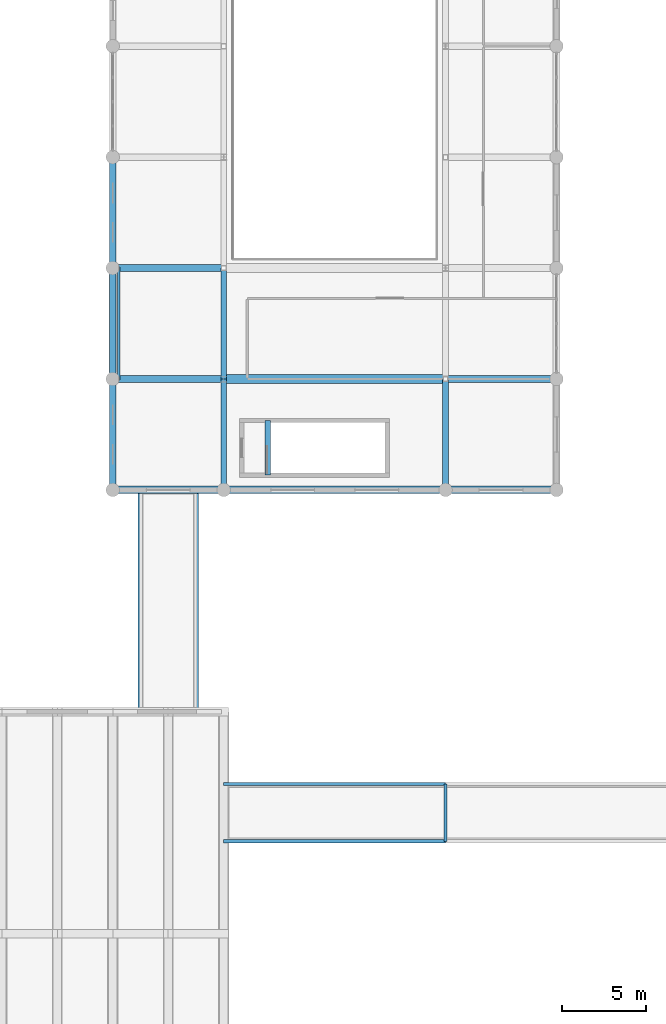
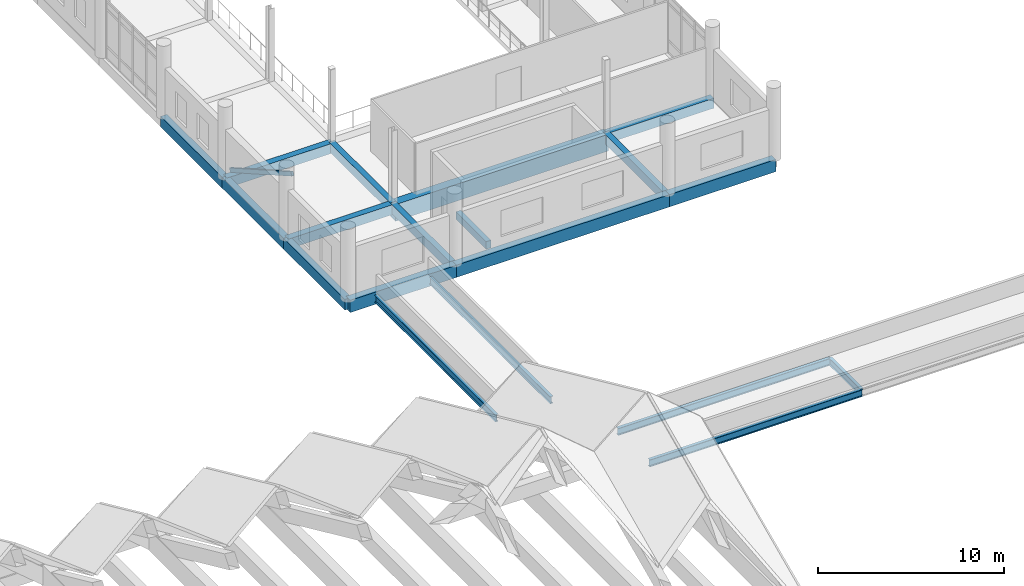
# One storey, part 7 of 76: 19 beams, 1 member.
"""IFC4 building model written with IfcOpenShell, lengths in metres."""

import ifcopenshell
import ifcopenshell.guid

model = None  # the IFC model being written
_history = None  # IfcOwnerHistory: only IFC2X3 demands one
_inside = {}  # id of a spatial element -> (the spatial element, [elements in it])
_under = {}  # id of a project, library or spatial element -> (it, [spatial elements below it])
_declared = {}  # id of a project -> (the project, [libraries it declares])
_typed = {}  # id of a type object -> (the type object, [elements of that type])
_made_of = {}  # id of a material, layer set ... -> (it, [elements and type objects made of it])


def new_model(schema):
    """Start an empty IFC model of exactly this schema.

    Asked for "IFC4X3", IfcOpenShell would pick the latest addendum, in which some entities
    have other attributes; the version numbers below select the first issue.
    IFC2X3 requires an IfcOwnerHistory on every rooted entity: one is made here for all.
    """
    global model, _history
    if schema == "IFC4X3":
        model = ifcopenshell.file(schema_version=(4, 3, 0, 0))
    else:
        model = ifcopenshell.file(schema=schema)
    _inside.clear()
    _under.clear()
    _declared.clear()
    _typed.clear()
    _made_of.clear()
    _history = None
    if model.schema == "IFC2X3":
        org = make("IfcOrganization", Name="unknown")
        user = make(
            "IfcPersonAndOrganization",
            ThePerson=make("IfcPerson", FamilyName="unknown"),
            TheOrganization=org,
        )
        app = make(
            "IfcApplication",
            ApplicationDeveloper=org,
            Version="unknown",
            ApplicationFullName="unknown",
            ApplicationIdentifier="unknown",
        )
        _history = make(
            "IfcOwnerHistory",
            OwningUser=user,
            OwningApplication=app,
            ChangeAction="ADDED",
            CreationDate=0,
        )
    return model


def make(cls, **values):
    """One entity of the class cls with the attributes given. An attribute that is None is left unset."""
    return model.create_entity(
        cls, **{name: value for name, value in values.items() if value is not None}
    )


def rooted(cls, **values):
    """An entity with a GlobalId (a new one), such as an element, a storey or a relation."""
    return make(cls, GlobalId=ifcopenshell.guid.new(), OwnerHistory=_history, **values)


def si_unit(unit_type, name, prefix=None):
    """IfcSIUnit, for example si_unit("LENGTHUNIT", "METRE", prefix="MILLI")."""
    return make("IfcSIUnit", UnitType=unit_type, Prefix=prefix, Name=name)


def assignment(units):
    """IfcUnitAssignment: the units of a project."""
    return None if units is None else make("IfcUnitAssignment", Units=units)


def point(xyz):
    """IfcCartesianPoint."""
    return None if xyz is None else make("IfcCartesianPoint", Coordinates=xyz)


def direction(xyz):
    """IfcDirection."""
    return None if xyz is None else make("IfcDirection", DirectionRatios=xyz)


def frame(location, z_axis=None, x_axis=None):
    """IfcAxis2Placement3D, a coordinate frame: its origin and axes. An axis left out is left unset."""
    return make(
        "IfcAxis2Placement3D",
        Location=point(location),
        Axis=direction(z_axis),
        RefDirection=direction(x_axis),
    )


def frame_2d(location, x_axis=None):
    """IfcAxis2Placement2D, a coordinate frame in the plane: its origin and x axis."""
    return make(
        "IfcAxis2Placement2D", Location=point(location), RefDirection=direction(x_axis)
    )


def origin():
    """The frame at (0, 0, 0) with its axes left unset."""
    return frame((0.0, 0.0, 0.0))


def origin_2d():
    """The frame at (0, 0) in the plane with its x axis left unset."""
    return frame_2d((0.0, 0.0))


def place(relative_to, where):
    """IfcLocalPlacement: puts the frame where relative to a parent placement (None: the world)."""
    return make(
        "IfcLocalPlacement", PlacementRelTo=relative_to, RelativePlacement=where
    )


def context(
    kind, dimensions, precision=None, world=None, true_north=None, identifier=None
):
    """IfcGeometricRepresentationContext, for example the 3D "Model" context."""
    return make(
        "IfcGeometricRepresentationContext",
        ContextIdentifier=identifier,
        ContextType=kind,
        CoordinateSpaceDimension=dimensions,
        Precision=precision,
        WorldCoordinateSystem=world,
        TrueNorth=true_north,
    )


def subcontext(parent, identifier, kind, view, scale=None):
    """IfcGeometricRepresentationSubContext, for example "Body" below "Model"."""
    return make(
        "IfcGeometricRepresentationSubContext",
        ContextIdentifier=identifier,
        ContextType=kind,
        ParentContext=parent,
        TargetScale=scale,
        TargetView=view,
    )


def project(units=None, contexts=None):
    """IfcProject with its units and contexts."""
    return rooted(
        "IfcProject",
        Name="project",
        RepresentationContexts=contexts,
        UnitsInContext=assignment(units),
    )


def spatial(cls, under=None, at=None, **own):
    """A site, building, storey or space (cls), placed at a placement, below another one or the project."""
    s = rooted(cls, ObjectPlacement=at, **own)
    if under is not None:
        _under.setdefault(under.id(), (under, []))[1].append(s)
    return s


def profile(cls, at=None, kind="AREA", **sizes):
    """A parametric profile (cls). Its sizes go by their IFC names, for example OverallWidth=200.0."""
    return make(cls, ProfileType=kind, Position=at, **sizes)


def rectangle(**sizes):
    """IfcRectangleProfileDef."""
    return profile("IfcRectangleProfileDef", **sizes)


def hollow_rectangle(**sizes):
    """IfcRectangleHollowProfileDef."""
    return profile("IfcRectangleHollowProfileDef", **sizes)


def i_section(**sizes):
    """IfcIShapeProfileDef."""
    return profile("IfcIShapeProfileDef", **sizes)


def extrude(swept, where, along, depth):
    """IfcExtrudedAreaSolid: the profile swept, set in the frame where, extruded along a direction by depth."""
    return make(
        "IfcExtrudedAreaSolid",
        SweptArea=swept,
        Position=where,
        ExtrudedDirection=direction(along),
        Depth=depth,
    )


def shape(context_of_items, identifier, shape_type, items):
    """IfcShapeRepresentation: the items that make up one representation, for example the "Body"."""
    return make(
        "IfcShapeRepresentation",
        ContextOfItems=context_of_items,
        RepresentationIdentifier=identifier,
        RepresentationType=shape_type,
        Items=items,
    )


def material(Name=None, Category=None):
    """IfcMaterial."""
    return make("IfcMaterial", Name=Name, Category=Category)


def material_profile(
    of_material, cross_section, Name=None, Category=None, Priority=None
):
    """IfcMaterialProfile: a cross section and its material."""
    return make(
        "IfcMaterialProfile",
        Name=Name,
        Material=of_material,
        Profile=cross_section,
        Priority=Priority,
        Category=Category,
    )


def profile_set(profiles, Name=None, composite=None):
    """IfcMaterialProfileSet."""
    return make(
        "IfcMaterialProfileSet",
        Name=Name,
        MaterialProfiles=profiles,
        CompositeProfile=composite,
    )


def made_of(thing, what):
    """Note that an element or type object is made of a material, layer set ...; save() writes the relation."""
    if what is not None:
        _made_of.setdefault(what.id(), (what, []))[1].append(thing)
    return thing


def type_object(cls, material=None, **own):
    """A type object (cls), such as IfcWallType, which elements share."""
    return made_of(rooted(cls, **own), material)


def element(
    cls,
    number,
    at=None,
    inside=None,
    cuts=None,
    type_object=None,
    material=None,
    context=None,
    identifier="Body",
    shape_type=None,
    held_by="IfcProductDefinitionShape",
    body=None,
    shapes=None,
    **own,
):
    """One element of the class cls, such as IfcWall. Its Tag is "e" and its number.

    at: its placement. inside: the storey or other place that contains it. cuts: it is an
    opening in that element (IfcRelVoidsElement). A single representation is given by context,
    identifier, shape_type and body (its items); several are given by shapes. held_by: the class
    of the entity that holds the representations. save() writes the other relations.
    """
    e = rooted(cls, Tag="e%d" % number, ObjectPlacement=at, **own)
    if body is not None:
        shapes = [shape(context, identifier, shape_type, body)]
    if shapes is not None:
        e.Representation = make(held_by, Representations=shapes)
    if inside is not None:
        _inside.setdefault(inside.id(), (inside, []))[1].append(e)
    if cuts is not None:
        rooted(
            "IfcRelVoidsElement", RelatingBuildingElement=cuts, RelatedOpeningElement=e
        )
    if type_object is not None:
        _typed.setdefault(type_object.id(), (type_object, []))[1].append(e)
    return made_of(e, material)


def aggregate(whole, parts):
    """IfcRelAggregates: a whole, such as a stair, and the parts it consists of."""
    return rooted("IfcRelAggregates", RelatingObject=whole, RelatedObjects=parts)


def save(model, path):
    """Write the relations noted so far, then the file.

    IfcRelAggregates (storeys below a building ...), IfcRelContainedInSpatialStructure (elements
    in a storey), IfcRelDefinesByType, IfcRelAssociatesMaterial and IfcRelDeclares: one each for
    every whole, place, type object, material and project.
    """
    for whole, parts in _under.values():
        aggregate(whole, parts)
    for where, things in _inside.values():
        rooted(
            "IfcRelContainedInSpatialStructure",
            RelatedElements=things,
            RelatingStructure=where,
        )
    for kind, things in _typed.values():
        rooted("IfcRelDefinesByType", RelatedObjects=things, RelatingType=kind)
    for what, things in _made_of.values():
        rooted("IfcRelAssociatesMaterial", RelatedObjects=things, RelatingMaterial=what)
    for by, libraries in _declared.values():
        rooted("IfcRelDeclares", RelatingContext=by, RelatedDefinitions=libraries)
    model.write(path)


model = new_model("IFC4")

# Units and contexts
model_context = context("Model", 3, precision=1e-05, world=origin(), true_north=direction((0.0, 1.0)))
body_context = subcontext(model_context, "Body", "Model", "MODEL_VIEW")
ifc_project = project(units=[si_unit("LENGTHUNIT", "METRE"), si_unit("AREAUNIT", "SQUARE_METRE"), si_unit("VOLUMEUNIT", "CUBIC_METRE"), si_unit("PLANEANGLEUNIT", "RADIAN"), si_unit("MASSUNIT", "GRAM", prefix="KILO")], contexts=[model_context])

# Site, building, storey
site_placement = place(None, origin())
site = spatial("IfcSite", under=ifc_project, at=site_placement, CompositionType="ELEMENT")
building_placement = place(site_placement, origin())
building = spatial("IfcBuilding", under=site, at=building_placement, Name="Dornvale Research Institute", CompositionType="ELEMENT")
storey_placement = place(building_placement, frame((0.0, 0.0, 15.0)))
storey = spatial("IfcBuildingStorey", under=building, at=storey_placement, Name="L03", CompositionType="ELEMENT", Elevation=15.0)

# Beams
ifc_material_1 = material(Name="Concrete f'c 45 MPa (C35/45)", Category="concrete")
ifc_material_profile_1 = material_profile(ifc_material_1, rectangle(XDim=0.300048828125, YDim=0.5, at=origin_2d()), Name="RC 300x500")
ifc_profile_set_1 = profile_set([ifc_material_profile_1], Name="Concrete f'c 45 MPa (C35/45)")
beam_type_1 = type_object("IfcBeamType", Name="Beam_RC300x500_Trim", PredefinedType="BEAM", material=ifc_profile_set_1)
beam_1_placement = place(storey_placement, frame((48.820068359375, 40.47998046875, -0.25), z_axis=(0.0, 1.0, 0.0), x_axis=(-1.0, 0.0, 0.0)))
element("IfcBeam", 1, at=beam_1_placement, inside=storey, type_object=beam_type_1, Name="L03 ST-7 stair landing trimmer beam #97", PredefinedType="BEAM", context=body_context, shape_type="SweptSolid", body=[
    extrude(rectangle(XDim=0.300048828125, YDim=0.5, at=origin_2d()), origin(), (0.0, 0.0, 1.0), 3.239990234375),
])
ifc_material_2 = material(Name="Concrete f'c 45 MPa (C35/45)", Category="concrete")
ifc_material_profile_2 = material_profile(ifc_material_2, rectangle(XDim=0.35009765625, YDim=0.60009765625, at=origin_2d()), Name="RC 350x600")
ifc_profile_set_2 = profile_set([ifc_material_profile_2], Name="Concrete f'c 45 MPa (C35/45)")
beam_type_2 = type_object("IfcBeamType", Name="Beam_RC350x600_Floor", PredefinedType="BEAM", material=ifc_profile_set_2)
beam_2_placement = place(storey_placement, frame((46.199951171875, 39.60009765625, -0.300048828125), z_axis=(0.0, 1.0, 0.0), x_axis=(-1.0, 0.0, 0.0)))
element("IfcBeam", 2, at=beam_2_placement, inside=storey, type_object=beam_type_2, Name="L03 transverse girder #1093", PredefinedType="BEAM", context=body_context, shape_type="SweptSolid", body=[
    extrude(rectangle(XDim=0.35009765625, YDim=0.60009765625, at=origin_2d()), origin(), (0.0, 0.0, 1.0), 6.599853515625),
])
beam_3_placement = place(storey_placement, frame((46.199951171875, 46.199951171875, -0.300048828125), z_axis=(0.0, 1.0, 0.0), x_axis=(-1.0, 0.0, 0.0)))
element("IfcBeam", 3, at=beam_3_placement, inside=storey, type_object=beam_type_2, Name="L03 transverse girder #1094", PredefinedType="BEAM", context=body_context, shape_type="SweptSolid", body=[
    extrude(rectangle(XDim=0.35009765625, YDim=0.60009765625, at=origin_2d()), origin(), (0.0, 0.0, 1.0), 6.60009765625),
])
beam_4_placement = place(storey_placement, frame((59.39990234375, 39.60009765625, -0.300048828125), z_axis=(0.0, 1.0, 0.0), x_axis=(-1.0, 0.0, 0.0)))
element("IfcBeam", 4, at=beam_4_placement, inside=storey, type_object=beam_type_2, Name="L03 transverse girder #1100", PredefinedType="BEAM", context=body_context, shape_type="SweptSolid", body=[
    extrude(rectangle(XDim=0.35009765625, YDim=0.60009765625, at=origin_2d()), origin(), (0.0, 0.0, 1.0), 6.599853515625),
])
ifc_material_3 = material(Name="Concrete f'c 45 MPa (C35/45)", Category="concrete")
ifc_material_profile_3 = material_profile(ifc_material_3, rectangle(XDim=0.39990234375, YDim=0.64990234375, at=origin_2d()), Name="RC 400x650")
ifc_profile_set_3 = profile_set([ifc_material_profile_3], Name="Concrete f'c 45 MPa (C35/45)")
beam_type_3 = type_object("IfcBeamType", Name="Beam_RC400x650_Floor", PredefinedType="BEAM", material=ifc_profile_set_3)
beam_5_placement = place(storey_placement, frame((39.60009765625, 46.199951171875, -0.324951171875), z_axis=(1.0, 0.0, 0.0), x_axis=(0.0, 1.0, 0.0)))
element("IfcBeam", 5, at=beam_5_placement, inside=storey, type_object=beam_type_3, Name="L03 primary girder #1067", PredefinedType="BEAM", context=body_context, shape_type="SweptSolid", body=[
    extrude(rectangle(XDim=0.39990234375, YDim=0.64990234375, at=origin_2d()), origin(), (0.0, 0.0, 1.0), 6.599853515625),
])
beam_6_placement = place(storey_placement, frame((59.39990234375, 46.199951171875, -0.324951171875), z_axis=(1.0, 0.0, 0.0), x_axis=(0.0, 1.0, 0.0)))
element("IfcBeam", 6, at=beam_6_placement, inside=storey, type_object=beam_type_3, Name="L03 primary girder #1069", PredefinedType="BEAM", context=body_context, shape_type="SweptSolid", body=[
    extrude(rectangle(XDim=0.39990234375, YDim=0.64990234375, at=origin_2d()), origin(), (0.0, 0.0, 1.0), 6.60009765625),
])
beam_7_placement = place(storey_placement, frame((39.60009765625, 52.800048828125, -0.324951171875), z_axis=(1.0, 0.0, 0.0), x_axis=(0.0, 1.0, 0.0)))
element("IfcBeam", 7, at=beam_7_placement, inside=storey, type_object=beam_type_3, Name="L03 primary girder #1070", PredefinedType="BEAM", context=body_context, shape_type="SweptSolid", body=[
    extrude(rectangle(XDim=0.39990234375, YDim=0.64990234375, at=origin_2d()), origin(), (0.0, 0.0, 1.0), 6.599853515625),
])
ifc_material_4 = material(Name="Concrete f'c 45 MPa (C35/45)", Category="concrete")
ifc_material_profile_4 = material_profile(ifc_material_4, rectangle(XDim=0.550048828125, YDim=1.10009765625, at=origin_2d()), Name="RC 550x1100")
ifc_profile_set_4 = profile_set([ifc_material_profile_4], Name="Concrete f'c 45 MPa (C35/45)")
beam_type_4 = type_object("IfcBeamType", Name="Beam_RC550x1100_Girder", PredefinedType="BEAM", material=ifc_profile_set_4)
beam_8_placement = place(storey_placement, frame((46.199951171875, 46.199951171875, -0.550048828125), z_axis=(1.0, 0.0, 0.0), x_axis=(0.0, 1.0, 0.0)))
element("IfcBeam", 8, at=beam_8_placement, inside=storey, type_object=beam_type_4, Name="L03 primary girder #1068", PredefinedType="BEAM", context=body_context, shape_type="SweptSolid", body=[
    extrude(rectangle(XDim=0.550048828125, YDim=1.10009765625, at=origin_2d()), origin(), (0.0, 0.0, 1.0), 13.199951171875),
])
ifc_material_5 = material(Name="Steel ASTM A992 Grade 50", Category="steel")
ifc_material_profile_5 = material_profile(ifc_material_5, i_section(OverallWidth=0.19091796875, OverallDepth=0.4599609375, WebThickness=0.010009765625, FlangeThickness=0.01611328125, at=origin_2d()), Name="W18X55")
ifc_profile_set_5 = profile_set([ifc_material_profile_5], Name="Steel ASTM A992 Grade 50")
beam_type_5 = type_object("IfcBeamType", Name="Beam_Steel_W18X55_Canopy", PredefinedType="BEAM", material=ifc_profile_set_5)
for number, where, z_axis, x_axis, name in (
    (9, (41.199951171875, 26.39990234375, -0.409912109375), (0.0, 1.0, 0.0), (-1.0, 0.0, 0.0), "L03 BR-2 roof west beam #2015"),
    (10, (44.60009765625, 26.39990234375, -0.409912109375), (0.0, 1.0, 0.0), (-1.0, 0.0, 0.0), "L03 BR-2 roof east beam #2016"),
):
    element("IfcBeam", number, at=place(storey_placement, frame(where, z_axis=z_axis, x_axis=x_axis)), inside=storey, type_object=beam_type_5, Name=name, PredefinedType="BEAM", context=body_context, shape_type="SweptSolid", body=[
        extrude(i_section(OverallWidth=0.19091796875, OverallDepth=0.4599609375, WebThickness=0.010009765625, FlangeThickness=0.01611328125, at=origin_2d()), origin(), (0.0, 0.0, 1.0), 13.2001953125),
    ])
for number, where, z_axis, x_axis, name in (
    (11, (46.199951171875, 18.699951171875, -0.409912109375), (1.0, 0.0, 0.0), (0.0, 1.0, 0.0), "L03 BR-6 roof south beam #2026"),
    (12, (46.199951171875, 22.10009765625, -0.409912109375), (1.0, 0.0, 0.0), (0.0, 1.0, 0.0), "L03 BR-6 roof north beam #2026"),
):
    element("IfcBeam", number, at=place(storey_placement, frame(where, z_axis=z_axis, x_axis=x_axis)), inside=storey, type_object=beam_type_5, Name=name, PredefinedType="BEAM", context=body_context, shape_type="SweptSolid", body=[
        extrude(i_section(OverallWidth=0.19091796875, OverallDepth=0.4599609375, WebThickness=0.010009765625, FlangeThickness=0.01611328125, at=origin_2d()), origin(), (0.0, 0.0, 1.0), 13.199951171875),
    ])
beam_9_placement = place(storey_placement, frame((59.39990234375, 18.699951171875, -0.409912109375), z_axis=(0.0, 1.0, 0.0), x_axis=(-1.0, 0.0, 0.0)))
element("IfcBeam", 13, at=beam_9_placement, inside=storey, type_object=beam_type_5, Name="L03 BR-6 roof portal tie #2026", PredefinedType="BEAM", context=body_context, shape_type="SweptSolid", body=[
    extrude(i_section(OverallWidth=0.19091796875, OverallDepth=0.4599609375, WebThickness=0.010009765625, FlangeThickness=0.01611328125, at=origin_2d()), origin(), (0.0, 0.0, 1.0), 3.400146484375),
])

# Member
ifc_material_6 = material(Name="Steel ASTM A500 Grade C", Category="steel")
ifc_material_profile_6 = material_profile(ifc_material_6, hollow_rectangle(XDim=0.152099609375, YDim=0.25390625, WallThickness=0.0087890625, at=origin_2d()), Name="HSS254X152X9.5")
ifc_profile_set_6 = profile_set([ifc_material_profile_6], Name="Steel ASTM A500 Grade C")
member_type = type_object("IfcMemberType", Name="Brace_HSS254X152_Lateral", PredefinedType="BRACE", material=ifc_profile_set_6)
member_placement = place(storey_placement, frame((39.9599609375, 52.800048828125, 0.300048828125), z_axis=(0.0, -0.869459696941, 0.494003881964), x_axis=(1.0, 0.0, 0.0)))
element("IfcMember", 14, at=member_placement, inside=storey, type_object=member_type, Name="L03 seismic diagonal brace #58", PredefinedType="BRACE", context=body_context, shape_type="SweptSolid", body=[
    extrude(hollow_rectangle(XDim=0.152099609375, YDim=0.25390625, WallThickness=0.0087890625, at=origin_2d()), origin(), (0.0, 0.0, 1.0), 7.591064453125),
])

# Beams
ifc_material_7 = material(Name="Concrete f'c 45 MPa (C35/45)", Category="concrete")
ifc_material_profile_7 = material_profile(ifc_material_7, rectangle(XDim=0.39990234375, YDim=0.699951171875, at=origin_2d()), Name="RC 400x700")
ifc_profile_set_7 = profile_set([ifc_material_profile_7], Name="Concrete f'c 45 MPa (C35/45)")
beam_type_6 = type_object("IfcBeamType", Name="Spandrel_RC400x700_Ext", PredefinedType="SPANDREL", material=ifc_profile_set_7)
beam_10_placement = place(storey_placement, frame((39.60009765625, 39.60009765625, -0.35009765625), z_axis=(0.0, 1.0, 0.0), x_axis=(-1.0, 0.0, 0.0)))
element("IfcBeam", 15, at=beam_10_placement, inside=storey, type_object=beam_type_6, Name="L03 perimeter spandrel #1086", PredefinedType="SPANDREL", context=body_context, shape_type="SweptSolid", body=[
    extrude(rectangle(XDim=0.39990234375, YDim=0.699951171875, at=origin_2d()), origin(), (0.0, 0.0, 1.0), 6.599853515625),
])
beam_11_placement = place(storey_placement, frame((39.60009765625, 46.199951171875, -0.35009765625), z_axis=(0.0, 1.0, 0.0), x_axis=(-1.0, 0.0, 0.0)))
element("IfcBeam", 16, at=beam_11_placement, inside=storey, type_object=beam_type_6, Name="L03 perimeter spandrel #1087", PredefinedType="SPANDREL", context=body_context, shape_type="SweptSolid", body=[
    extrude(rectangle(XDim=0.39990234375, YDim=0.699951171875, at=origin_2d()), origin(), (0.0, 0.0, 1.0), 6.60009765625),
])
beam_12_placement = place(storey_placement, frame((39.60009765625, 52.800048828125, -0.35009765625), z_axis=(0.0, 1.0, 0.0), x_axis=(-1.0, 0.0, 0.0)))
element("IfcBeam", 17, at=beam_12_placement, inside=storey, type_object=beam_type_6, Name="L03 perimeter spandrel #1088", PredefinedType="SPANDREL", context=body_context, shape_type="SweptSolid", body=[
    extrude(rectangle(XDim=0.39990234375, YDim=0.699951171875, at=origin_2d()), origin(), (0.0, 0.0, 1.0), 6.599853515625),
])
ifc_material_8 = material(Name="Concrete f'c 45 MPa (C35/45)", Category="concrete")
ifc_material_profile_8 = material_profile(ifc_material_8, rectangle(XDim=0.449951171875, YDim=0.800048828125, at=origin_2d()), Name="RC 450x800")
ifc_profile_set_8 = profile_set([ifc_material_profile_8], Name="Concrete f'c 45 MPa (C35/45)")
beam_type_7 = type_object("IfcBeamType", Name="Spandrel_RC450x800_Ext", PredefinedType="SPANDREL", material=ifc_profile_set_8)
beam_13_placement = place(storey_placement, frame((39.60009765625, 39.60009765625, -0.39990234375), z_axis=(1.0, 0.0, 0.0), x_axis=(0.0, 1.0, 0.0)))
element("IfcBeam", 18, at=beam_13_placement, inside=storey, type_object=beam_type_7, Name="L03 perimeter spandrel #1064", PredefinedType="SPANDREL", context=body_context, shape_type="SweptSolid", body=[
    extrude(rectangle(XDim=0.449951171875, YDim=0.800048828125, at=origin_2d()), origin(), (0.0, 0.0, 1.0), 6.599853515625),
])
beam_14_placement = place(storey_placement, frame((46.199951171875, 39.60009765625, -0.39990234375), z_axis=(1.0, 0.0, 0.0), x_axis=(0.0, 1.0, 0.0)))
element("IfcBeam", 19, at=beam_14_placement, inside=storey, type_object=beam_type_7, Name="L03 perimeter spandrel #1065", PredefinedType="SPANDREL", context=body_context, shape_type="SweptSolid", body=[
    extrude(rectangle(XDim=0.449951171875, YDim=0.800048828125, at=origin_2d()), origin(), (0.0, 0.0, 1.0), 13.199951171875),
])
beam_15_placement = place(storey_placement, frame((59.39990234375, 39.60009765625, -0.39990234375), z_axis=(1.0, 0.0, 0.0), x_axis=(0.0, 1.0, 0.0)))
element("IfcBeam", 20, at=beam_15_placement, inside=storey, type_object=beam_type_7, Name="L03 perimeter spandrel #1066", PredefinedType="SPANDREL", context=body_context, shape_type="SweptSolid", body=[
    extrude(rectangle(XDim=0.449951171875, YDim=0.800048828125, at=origin_2d()), origin(), (0.0, 0.0, 1.0), 6.60009765625),
])

save(model, "model.ifc")
